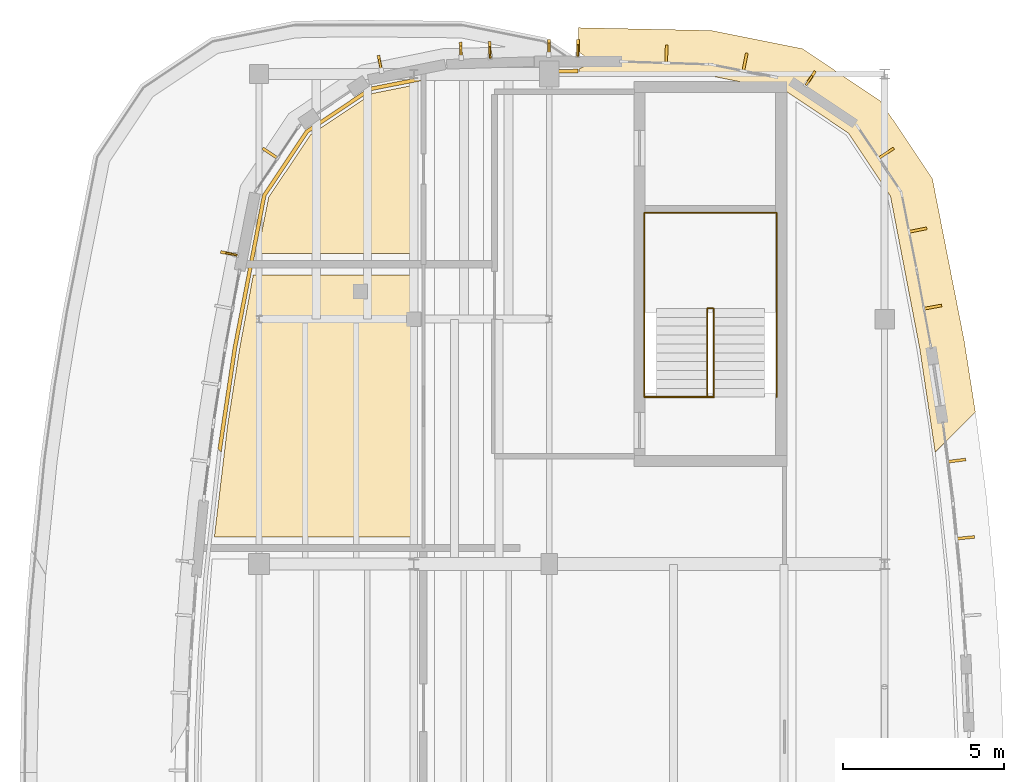
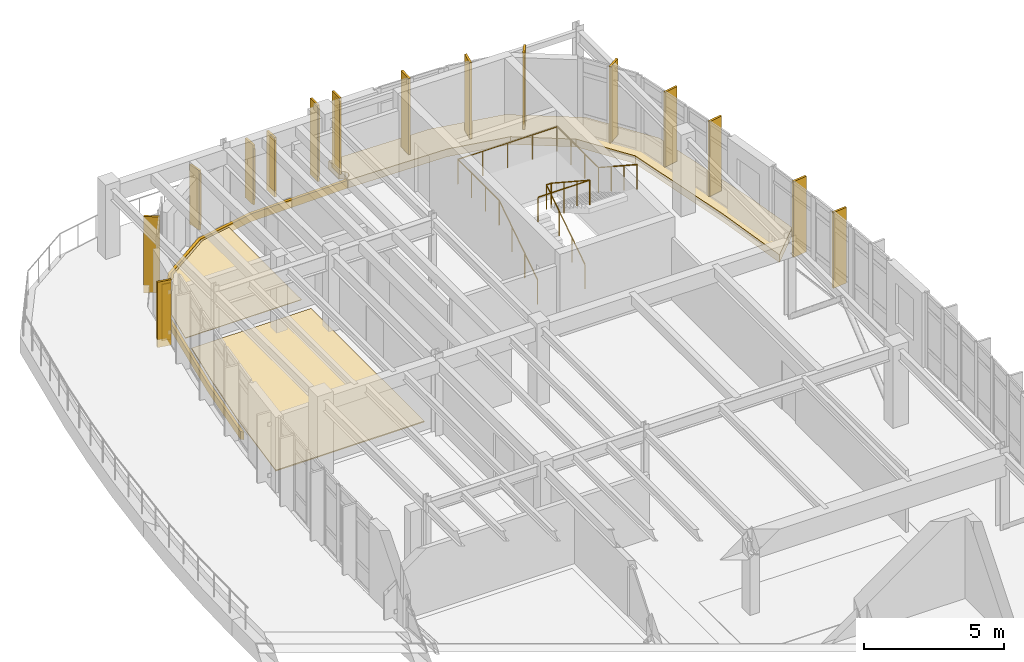
# One storey, part 20 of 20: 19 coverings, 7 shading devices, 3 railings.
"""IFC4 building model written with IfcOpenShell, lengths in metres."""

import ifcopenshell
import ifcopenshell.guid

model = None  # the IFC model being written
_history = None  # IfcOwnerHistory: only IFC2X3 demands one
_inside = {}  # id of a spatial element -> (the spatial element, [elements in it])
_under = {}  # id of a project, library or spatial element -> (it, [spatial elements below it])
_declared = {}  # id of a project -> (the project, [libraries it declares])
_typed = {}  # id of a type object -> (the type object, [elements of that type])
_made_of = {}  # id of a material, layer set ... -> (it, [elements and type objects made of it])


def new_model(schema):
    """Start an empty IFC model of exactly this schema.

    Asked for "IFC4X3", IfcOpenShell would pick the latest addendum, in which some entities
    have other attributes; the version numbers below select the first issue.
    IFC2X3 requires an IfcOwnerHistory on every rooted entity: one is made here for all.
    """
    global model, _history
    if schema == "IFC4X3":
        model = ifcopenshell.file(schema_version=(4, 3, 0, 0))
    else:
        model = ifcopenshell.file(schema=schema)
    _inside.clear()
    _under.clear()
    _declared.clear()
    _typed.clear()
    _made_of.clear()
    _history = None
    if model.schema == "IFC2X3":
        org = make("IfcOrganization", Name="unknown")
        user = make(
            "IfcPersonAndOrganization",
            ThePerson=make("IfcPerson", FamilyName="unknown"),
            TheOrganization=org,
        )
        app = make(
            "IfcApplication",
            ApplicationDeveloper=org,
            Version="unknown",
            ApplicationFullName="unknown",
            ApplicationIdentifier="unknown",
        )
        _history = make(
            "IfcOwnerHistory",
            OwningUser=user,
            OwningApplication=app,
            ChangeAction="ADDED",
            CreationDate=0,
        )
    return model


def make(cls, **values):
    """One entity of the class cls with the attributes given. An attribute that is None is left unset."""
    return model.create_entity(
        cls, **{name: value for name, value in values.items() if value is not None}
    )


def rooted(cls, **values):
    """An entity with a GlobalId (a new one), such as an element, a storey or a relation."""
    return make(cls, GlobalId=ifcopenshell.guid.new(), OwnerHistory=_history, **values)


def si_unit(unit_type, name, prefix=None):
    """IfcSIUnit, for example si_unit("LENGTHUNIT", "METRE", prefix="MILLI")."""
    return make("IfcSIUnit", UnitType=unit_type, Prefix=prefix, Name=name)


def assignment(units):
    """IfcUnitAssignment: the units of a project."""
    return None if units is None else make("IfcUnitAssignment", Units=units)


def point(xyz):
    """IfcCartesianPoint."""
    return None if xyz is None else make("IfcCartesianPoint", Coordinates=xyz)


def direction(xyz):
    """IfcDirection."""
    return None if xyz is None else make("IfcDirection", DirectionRatios=xyz)


def frame(location, z_axis=None, x_axis=None):
    """IfcAxis2Placement3D, a coordinate frame: its origin and axes. An axis left out is left unset."""
    return make(
        "IfcAxis2Placement3D",
        Location=point(location),
        Axis=direction(z_axis),
        RefDirection=direction(x_axis),
    )


def frame_2d(location, x_axis=None):
    """IfcAxis2Placement2D, a coordinate frame in the plane: its origin and x axis."""
    return make(
        "IfcAxis2Placement2D", Location=point(location), RefDirection=direction(x_axis)
    )


def origin():
    """The frame at (0, 0, 0) with its axes left unset."""
    return frame((0.0, 0.0, 0.0))


def origin_2d():
    """The frame at (0, 0) in the plane with its x axis left unset."""
    return frame_2d((0.0, 0.0))


def place(relative_to, where):
    """IfcLocalPlacement: puts the frame where relative to a parent placement (None: the world)."""
    return make(
        "IfcLocalPlacement", PlacementRelTo=relative_to, RelativePlacement=where
    )


def context(
    kind, dimensions, precision=None, world=None, true_north=None, identifier=None
):
    """IfcGeometricRepresentationContext, for example the 3D "Model" context."""
    return make(
        "IfcGeometricRepresentationContext",
        ContextIdentifier=identifier,
        ContextType=kind,
        CoordinateSpaceDimension=dimensions,
        Precision=precision,
        WorldCoordinateSystem=world,
        TrueNorth=true_north,
    )


def subcontext(parent, identifier, kind, view, scale=None):
    """IfcGeometricRepresentationSubContext, for example "Body" below "Model"."""
    return make(
        "IfcGeometricRepresentationSubContext",
        ContextIdentifier=identifier,
        ContextType=kind,
        ParentContext=parent,
        TargetScale=scale,
        TargetView=view,
    )


def project(units=None, contexts=None):
    """IfcProject with its units and contexts."""
    return rooted(
        "IfcProject",
        Name="project",
        RepresentationContexts=contexts,
        UnitsInContext=assignment(units),
    )


def spatial(cls, under=None, at=None, **own):
    """A site, building, storey or space (cls), placed at a placement, below another one or the project."""
    s = rooted(cls, ObjectPlacement=at, **own)
    if under is not None:
        _under.setdefault(under.id(), (under, []))[1].append(s)
    return s


def polyline(points):
    """IfcPolyline through the points."""
    return make("IfcPolyline", Points=[point(p) for p in points])


def profile(cls, at=None, kind="AREA", **sizes):
    """A parametric profile (cls). Its sizes go by their IFC names, for example OverallWidth=200.0."""
    return make(cls, ProfileType=kind, Position=at, **sizes)


def rectangle(**sizes):
    """IfcRectangleProfileDef."""
    return profile("IfcRectangleProfileDef", **sizes)


def circle(**sizes):
    """IfcCircleProfileDef."""
    return profile("IfcCircleProfileDef", **sizes)


def outline(outer, holes=None, kind="AREA"):
    """IfcArbitraryClosedProfileDef: a profile drawn as a closed curve; with holes, ...WithVoids."""
    if holes is None:
        return make("IfcArbitraryClosedProfileDef", ProfileType=kind, OuterCurve=outer)
    return make(
        "IfcArbitraryProfileDefWithVoids",
        ProfileType=kind,
        OuterCurve=outer,
        InnerCurves=holes,
    )


def extrude(swept, where, along, depth):
    """IfcExtrudedAreaSolid: the profile swept, set in the frame where, extruded along a direction by depth."""
    return make(
        "IfcExtrudedAreaSolid",
        SweptArea=swept,
        Position=where,
        ExtrudedDirection=direction(along),
        Depth=depth,
    )


def shape(context_of_items, identifier, shape_type, items):
    """IfcShapeRepresentation: the items that make up one representation, for example the "Body"."""
    return make(
        "IfcShapeRepresentation",
        ContextOfItems=context_of_items,
        RepresentationIdentifier=identifier,
        RepresentationType=shape_type,
        Items=items,
    )


def material(Name=None, Category=None):
    """IfcMaterial."""
    return make("IfcMaterial", Name=Name, Category=Category)


def layer(
    of_material, thickness, ventilated=None, Name=None, Category=None, Priority=None
):
    """IfcMaterialLayer: one layer of a wall or slab, of a material (None: an air gap)."""
    return make(
        "IfcMaterialLayer",
        Material=of_material,
        LayerThickness=thickness,
        IsVentilated=ventilated,
        Name=Name,
        Category=Category,
        Priority=Priority,
    )


def layer_set(layers, Name=None):
    """IfcMaterialLayerSet."""
    return make("IfcMaterialLayerSet", MaterialLayers=layers, LayerSetName=Name)


def made_of(thing, what):
    """Note that an element or type object is made of a material, layer set ...; save() writes the relation."""
    if what is not None:
        _made_of.setdefault(what.id(), (what, []))[1].append(thing)
    return thing


def type_object(cls, material=None, **own):
    """A type object (cls), such as IfcWallType, which elements share."""
    return made_of(rooted(cls, **own), material)


def element(
    cls,
    number,
    at=None,
    inside=None,
    cuts=None,
    type_object=None,
    material=None,
    context=None,
    identifier="Body",
    shape_type=None,
    held_by="IfcProductDefinitionShape",
    body=None,
    shapes=None,
    **own,
):
    """One element of the class cls, such as IfcWall. Its Tag is "e" and its number.

    at: its placement. inside: the storey or other place that contains it. cuts: it is an
    opening in that element (IfcRelVoidsElement). A single representation is given by context,
    identifier, shape_type and body (its items); several are given by shapes. held_by: the class
    of the entity that holds the representations. save() writes the other relations.
    """
    e = rooted(cls, Tag="e%d" % number, ObjectPlacement=at, **own)
    if body is not None:
        shapes = [shape(context, identifier, shape_type, body)]
    if shapes is not None:
        e.Representation = make(held_by, Representations=shapes)
    if inside is not None:
        _inside.setdefault(inside.id(), (inside, []))[1].append(e)
    if cuts is not None:
        rooted(
            "IfcRelVoidsElement", RelatingBuildingElement=cuts, RelatedOpeningElement=e
        )
    if type_object is not None:
        _typed.setdefault(type_object.id(), (type_object, []))[1].append(e)
    return made_of(e, material)


def aggregate(whole, parts):
    """IfcRelAggregates: a whole, such as a stair, and the parts it consists of."""
    return rooted("IfcRelAggregates", RelatingObject=whole, RelatedObjects=parts)


def save(model, path):
    """Write the relations noted so far, then the file.

    IfcRelAggregates (storeys below a building ...), IfcRelContainedInSpatialStructure (elements
    in a storey), IfcRelDefinesByType, IfcRelAssociatesMaterial and IfcRelDeclares: one each for
    every whole, place, type object, material and project.
    """
    for whole, parts in _under.values():
        aggregate(whole, parts)
    for where, things in _inside.values():
        rooted(
            "IfcRelContainedInSpatialStructure",
            RelatedElements=things,
            RelatingStructure=where,
        )
    for kind, things in _typed.values():
        rooted("IfcRelDefinesByType", RelatedObjects=things, RelatingType=kind)
    for what, things in _made_of.values():
        rooted("IfcRelAssociatesMaterial", RelatedObjects=things, RelatingMaterial=what)
    for by, libraries in _declared.values():
        rooted("IfcRelDeclares", RelatingContext=by, RelatedDefinitions=libraries)
    model.write(path)


model = new_model("IFC4")

# Units and contexts
model_context = context("Model", 3, precision=1e-05, world=origin(), true_north=direction((0.0, 1.0)))
body_context = subcontext(model_context, "Body", "Model", "MODEL_VIEW")
ifc_project = project(units=[si_unit("LENGTHUNIT", "METRE"), si_unit("AREAUNIT", "SQUARE_METRE"), si_unit("VOLUMEUNIT", "CUBIC_METRE"), si_unit("PLANEANGLEUNIT", "RADIAN"), si_unit("MASSUNIT", "GRAM", prefix="KILO")], contexts=[model_context])

# Site, building, storey
site_placement = place(None, origin())
site = spatial("IfcSite", under=ifc_project, at=site_placement, CompositionType="ELEMENT")
building_placement = place(site_placement, origin())
building = spatial("IfcBuilding", under=site, at=building_placement, Name="Corveleigh Park Community Centre", CompositionType="ELEMENT")
storey_placement = place(building_placement, frame((0.0, 0.0, 16.199951171875)))
storey = spatial("IfcBuildingStorey", under=building, at=storey_placement, Name="L04", CompositionType="ELEMENT", Elevation=16.199951171875)

# Coverings
ifc_material_1 = material(Name="Warm buff ribbed architectural cladding", Category="masonry")
ifc_layer_1 = layer(ifc_material_1, 0.0849609375, Name="Warm buff ribbed architectural cladding", Category="masonry")
ifc_layer_set_1 = layer_set([ifc_layer_1], Name="Warm buff ribbed architectural cladding")
covering_type_1 = type_object("IfcCoveringType", Name="COV-CLD-BUF", PredefinedType="CLADDING", material=ifc_layer_set_1)
covering_1_placement = place(storey_placement, origin())
element("IfcCovering", 1, at=covering_1_placement, inside=storey, type_object=covering_type_1, Name="V4 L04 Brise-soleil blade 499", PredefinedType="CLADDING", context=body_context, shape_type="SweptSolid", body=[
    extrude(outline(polyline([(170.60595703125, 89.830078125), (170.614013671875, 89.74609375), (171.19091796875, 89.802978515625), (171.18310546875, 89.886962890625), (170.60595703125, 89.830078125)])), origin(), (0.0, 0.0, 1.0), 3.31201171875),
])
covering_2_placement = place(storey_placement, origin())
element("IfcCovering", 2, at=covering_2_placement, inside=storey, type_object=covering_type_1, Name="V4 L04 Brise-soleil blade 500", PredefinedType="CLADDING", context=body_context, shape_type="SweptSolid", body=[
    extrude(outline(polyline([(170.3349609375, 92.216064453125), (170.345947265625, 92.131103515625), (170.9208984375, 92.205078125), (170.909912109375, 92.2890625), (170.3349609375, 92.216064453125)])), origin(), (0.0, 0.0, 1.0), 3.31201171875),
])
covering_3_placement = place(storey_placement, origin())
element("IfcCovering", 3, at=covering_3_placement, inside=storey, type_object=covering_type_1, Name="V4 L04 Brise-soleil blade 501", PredefinedType="CLADDING", context=body_context, shape_type="SweptSolid", body=[
    extrude(outline(polyline([(169.591064453125, 96.958984375), (169.60595703125, 96.875), (170.176025390625, 96.98095703125), (170.160888671875, 97.06396484375), (169.591064453125, 96.958984375)])), origin(), (0.0, 0.0, 1.0), 3.31201171875),
])
covering_4_placement = place(storey_placement, origin())
element("IfcCovering", 4, at=covering_4_placement, inside=storey, type_object=covering_type_1, Name="V4 L04 Brise-soleil blade 502", PredefinedType="CLADDING", context=body_context, shape_type="SweptSolid", body=[
    extrude(outline(polyline([(169.133056640625, 99.343994140625), (169.14892578125, 99.260009765625), (169.718017578125, 99.3740234375), (169.700927734375, 99.45703125), (169.133056640625, 99.343994140625)])), origin(), (0.0, 0.0, 1.0), 3.31201171875),
])
covering_5_placement = place(storey_placement, origin())
element("IfcCovering", 5, at=covering_5_placement, inside=storey, type_object=covering_type_1, Name="V4 L04 Brise-soleil blade 503", PredefinedType="CLADDING", context=body_context, shape_type="SweptSolid", body=[
    extrude(outline(polyline([(168.178955078125, 101.611083984375), (168.22607421875, 101.541015625), (168.7080078125, 101.863037109375), (168.660888671875, 101.93310546875), (168.178955078125, 101.611083984375)])), origin(), (0.0, 0.0, 1.0), 3.3720703125),
])
covering_6_placement = place(storey_placement, origin())
element("IfcCovering", 6, at=covering_6_placement, inside=storey, type_object=covering_type_1, Name="V4 L04 Brise-soleil blade 504", PredefinedType="CLADDING", context=body_context, shape_type="SweptSolid", body=[
    extrude(outline(polyline([(165.9140625, 103.864990234375), (165.985107421875, 103.81689453125), (166.281982421875, 104.261962890625), (166.2109375, 104.31005859375), (165.9140625, 103.864990234375)])), origin(), (0.0, 0.0, 1.0), 3.3720703125),
])
covering_7_placement = place(storey_placement, origin())
element("IfcCovering", 7, at=covering_7_placement, inside=storey, type_object=covering_type_1, Name="V4 L04 Brise-soleil blade 505", PredefinedType="CLADDING", context=body_context, shape_type="SweptSolid", body=[
    extrude(outline(polyline([(163.971923828125, 104.287109375), (164.055908203125, 104.27001953125), (164.1689453125, 104.839111328125), (164.0859375, 104.85595703125), (163.971923828125, 104.287109375)])), origin(), (0.0, 0.0, 1.0), 3.3720703125),
])
covering_8_placement = place(storey_placement, origin())
element("IfcCovering", 8, at=covering_8_placement, inside=storey, type_object=covering_type_1, Name="V4 L04 Brise-soleil blade 506", PredefinedType="CLADDING", context=body_context, shape_type="SweptSolid", body=[
    extrude(outline(polyline([(161.5830078125, 104.52490234375), (161.66796875, 104.52197265625), (161.68701171875, 105.10205078125), (161.60205078125, 105.10498046875), (161.5830078125, 104.52490234375)])), origin(), (0.0, 0.0, 1.0), 3.3720703125),
])
covering_9_placement = place(storey_placement, origin())
element("IfcCovering", 9, at=covering_9_placement, inside=storey, type_object=covering_type_1, Name="V4 L04 Brise-soleil blade 507", PredefinedType="CLADDING", context=body_context, shape_type="SweptSolid", body=[
    extrude(outline(polyline([(157.949951171875, 104.740966796875), (158.033935546875, 104.740966796875), (158.033935546875, 105.27587890625), (157.949951171875, 105.27587890625), (157.949951171875, 104.740966796875)])), origin(), (0.0, 0.0, 1.0), 3.337158203125),
])
covering_10_placement = place(storey_placement, origin())
element("IfcCovering", 10, at=covering_10_placement, inside=storey, type_object=covering_type_1, Name="V4 L04 Brise-soleil blade 508", PredefinedType="CLADDING", context=body_context, shape_type="SweptSolid", body=[
    extrude(outline(polyline([(158.85009765625, 104.740966796875), (158.93408203125, 104.740966796875), (158.93408203125, 105.27587890625), (158.85009765625, 105.27587890625), (158.85009765625, 104.740966796875)])), origin(), (0.0, 0.0, 1.0), 3.337158203125),
])
covering_11_placement = place(storey_placement, origin())
element("IfcCovering", 11, at=covering_11_placement, inside=storey, type_object=covering_type_1, Name="V4 L04 Brise-soleil blade 509", PredefinedType="CLADDING", context=body_context, shape_type="SweptSolid", body=[
    extrude(outline(polyline([(155.22607421875, 104.64892578125), (155.31103515625, 104.65087890625), (155.2939453125, 105.18603515625), (155.208984375, 105.18408203125), (155.22607421875, 104.64892578125)])), origin(), (0.0, 0.0, 1.0), 2.60498046875),
])
covering_12_placement = place(storey_placement, origin())
element("IfcCovering", 12, at=covering_12_placement, inside=storey, type_object=covering_type_1, Name="V4 L04 Brise-soleil blade 510", PredefinedType="CLADDING", context=body_context, shape_type="SweptSolid", body=[
    extrude(outline(polyline([(156.1259765625, 104.677001953125), (156.2109375, 104.679931640625), (156.194091796875, 105.215087890625), (156.10888671875, 105.2119140625), (156.1259765625, 104.677001953125)])), origin(), (0.0, 0.0, 1.0), 2.60498046875),
])
covering_13_placement = place(storey_placement, origin())
element("IfcCovering", 13, at=covering_13_placement, inside=storey, type_object=covering_type_1, Name="V4 L04 Brise-soleil blade 511", PredefinedType="CLADDING", context=body_context, shape_type="SweptSolid", body=[
    extrude(outline(polyline([(152.76611328125, 104.243896484375), (152.85009765625, 104.260009765625), (152.7451171875, 104.784912109375), (152.662109375, 104.76806640625), (152.76611328125, 104.243896484375)])), origin(), (0.0, 0.0, 1.0), 2.60498046875),
])
covering_14_placement = place(storey_placement, origin())
element("IfcCovering", 14, at=covering_14_placement, inside=storey, type_object=covering_type_1, Name="V4 L04 Brise-soleil blade 512", PredefinedType="CLADDING", context=body_context, shape_type="SweptSolid", body=[
    extrude(outline(polyline([(149.573974609375, 101.541015625), (149.62109375, 101.611083984375), (149.138916015625, 101.93310546875), (149.092041015625, 101.863037109375), (149.573974609375, 101.541015625)])), origin(), (0.0, 0.0, 1.0), 3.337158203125),
])
covering_15_placement = place(storey_placement, origin())
element("IfcCovering", 15, at=covering_15_placement, inside=storey, type_object=covering_type_1, Name="V4 L04 Brise-soleil blade 513", PredefinedType="CLADDING", context=body_context, shape_type="SweptSolid", body=[
    extrude(outline(polyline([(148.327880859375, 98.537109375), (148.344970703125, 98.6201171875), (147.820068359375, 98.72509765625), (147.803955078125, 98.64111328125), (148.327880859375, 98.537109375)])), origin(), (0.0, 0.0, 1.0), 2.862060546875),
])
ifc_material_2 = material(Name="White architectural fascia cladding", Category="masonry")
ifc_layer_2 = layer(ifc_material_2, 0.074951171875, Name="White architectural fascia cladding", Category="masonry")
ifc_layer_set_2 = layer_set([ifc_layer_2], Name="White architectural fascia cladding")
covering_type_2 = type_object("IfcCoveringType", Name="COV-CLD-WHT", PredefinedType="CLADDING", material=ifc_layer_set_2)
covering_16_placement = place(storey_placement, frame((0.0, 0.0, -0.300048828125)))
element("IfcCovering", 16, at=covering_16_placement, inside=storey, type_object=covering_type_2, Name="V4 L04 Horizontal Sun-Hood 2", PredefinedType="CLADDING", context=body_context, shape_type="SweptSolid", body=[
    extrude(outline(polyline([(158.927978515625, 104.35302734375), (159.093017578125, 104.445068359375), (159.14794921875, 104.60302734375), (159.091064453125, 104.760009765625), (158.912109375, 104.89208984375), (158.912109375, 105.635986328125), (163.032958984375, 105.549072265625), (165.85107421875, 104.98291015625), (168.26708984375, 103.366943359375), (169.883056640625, 100.950927734375), (170.868896484375, 95.929931640625), (171.214111328125, 93.72705078125), (169.968017578125, 92.47998046875), (169.491943359375, 95.679931640625), (168.5830078125, 100.412109375), (167.27294921875, 102.373046875), (165.31201171875, 103.68310546875), (162.9599609375, 104.15087890625), (158.910888671875, 104.236083984375), (158.927978515625, 104.35302734375)])), origin(), (0.0, 0.0, 1.0), 0.340087890625),
])
covering_17_placement = place(storey_placement, frame((0.0, 0.0, -0.300048828125)))
element("IfcCovering", 17, at=covering_17_placement, inside=storey, type_object=covering_type_2, Name="V4 L04 Horizontal Sun-Hood 3", PredefinedType="CLADDING", context=body_context, shape_type="SweptSolid", body=[
    extrude(outline(polyline([(147.72900390625, 92.58203125), (148.194091796875, 95.698974609375), (149.10791015625, 100.455078125), (150.443115234375, 102.452880859375), (152.446044921875, 103.79296875), (154.824951171875, 104.26611328125), (158.888916015625, 104.35107421875), (158.888916015625, 104.236083984375), (154.840087890625, 104.15087890625), (152.488037109375, 103.68310546875), (150.527099609375, 102.373046875), (149.217041015625, 100.412109375), (148.30810546875, 95.679931640625), (147.83203125, 92.47998046875), (147.72900390625, 92.58203125)])), origin(), (0.0, 0.0, 1.0), 0.340087890625),
])
ifc_material_3 = material(Name="Acoustic linoleum flooring", Category="wood")
ifc_layer_3 = layer(ifc_material_3, 0.02490234375, Name="Acoustic linoleum flooring", Category="wood")
ifc_layer_set_3 = layer_set([ifc_layer_3], Name="Acoustic linoleum flooring")
covering_type_3 = type_object("IfcCoveringType", Name="COV-FLR-LIN", PredefinedType="FLOORING", material=ifc_layer_set_3)
covering_18_placement = place(storey_placement, origin())
element("IfcCovering", 18, at=covering_18_placement, inside=storey, type_object=covering_type_3, Name="Accessible and Public Toilets L04 flooring", PredefinedType="FLOORING", context=body_context, shape_type="SweptSolid", body=[
    extrude(outline(polyline([(149.301025390625, 100.376953125), (150.592041015625, 102.30810546875), (152.52294921875, 103.59912109375), (153.760009765625, 103.844970703125), (153.760009765625, 98.639892578125), (148.9560546875, 98.639892578125), (149.301025390625, 100.376953125)])), origin(), (0.0, 0.0, 1.0), 0.025146484375),
])
ifc_material_4 = material(Name="Sprung hardwood sports flooring", Category="wood")
ifc_layer_4 = layer(ifc_material_4, 0.044921875, Name="Sprung hardwood sports flooring", Category="wood")
ifc_layer_set_4 = layer_set([ifc_layer_4], Name="Sprung hardwood sports flooring")
covering_type_4 = type_object("IfcCoveringType", Name="COV-FLR-SPR", PredefinedType="FLOORING", material=ifc_layer_set_4)
covering_19_placement = place(storey_placement, origin())
element("IfcCovering", 19, at=covering_19_placement, inside=storey, type_object=covering_type_4, Name="Community Health Drop-In Studio flooring", PredefinedType="FLOORING", context=body_context, shape_type="SweptSolid", body=[
    extrude(outline(polyline([(148.39697265625, 95.6650390625), (148.822021484375, 97.9599609375), (153.760009765625, 97.9599609375), (153.760009765625, 89.840087890625), (147.616943359375, 89.840087890625), (148.028076171875, 93.304931640625), (148.39697265625, 95.6650390625)])), origin(), (0.0, 0.0, 1.0), 0.045166015625),
])

# Railings
ifc_material_5 = material(Name="Stainless steel 316 balustrade", Category="steel")
railing_type = type_object("IfcRailingType", Name="RLG-BAL-INT-1100", PredefinedType="BALUSTRADE", material=ifc_material_5)
railing_1_placement = place(storey_placement, frame((162.89990234375, 94.179931640625, 0.0)))
element("IfcRailing", 20, at=railing_1_placement, inside=storey, type_object=railing_type, Name="Stair ST2 inner guard L04", PredefinedType="BALUSTRADE", context=body_context, shape_type="SweptSolid", body=[
    extrude(circle(Radius=0.02392578125, at=origin_2d()), frame((0.0, 0.0, 1.076171875), z_axis=(0.0, 0.836694709366, 0.547669574943), x_axis=(-1.0, 0.0, 0.0)), (0.0, 0.0, 1.0), 3.28662109375),
    extrude(circle(Radius=0.02392578125, at=origin_2d()), frame((0.0, 2.75, 2.8759765625), z_axis=(1.0, 0.0, 0.0), x_axis=(0.0, 1.0, 0.0)), (0.0, 0.0, 1.0), 0.2001953125),
    extrude(circle(Radius=0.02392578125, at=origin_2d()), frame((0.2001953125, 2.75, 2.8759765625), z_axis=(0.0, -0.836694709366, 0.547669574943), x_axis=(1.0, 0.0, 0.0)), (0.0, 0.0, 1.0), 3.28662109375),
    extrude(circle(Radius=0.02099609375, at=origin_2d()), origin(), (0.0, 0.0, 1.0), 1.052001953125),
    extrude(circle(Radius=0.02099609375, at=origin_2d()), frame((0.0, 0.916748046875, 0.60009765625)), (0.0, 0.0, 1.0), 1.052001953125),
    extrude(circle(Radius=0.02099609375, at=origin_2d()), frame((0.0, 1.833251953125, 1.199951171875)), (0.0, 0.0, 1.0), 1.052001953125),
    extrude(circle(Radius=0.02099609375, at=origin_2d()), frame((0.0, 2.75, 1.800048828125)), (0.0, 0.0, 1.0), 1.052001953125),
    extrude(circle(Radius=0.02099609375, at=origin_2d()), frame((0.2001953125, 2.75, 1.800048828125)), (0.0, 0.0, 1.0), 1.052001953125),
    extrude(circle(Radius=0.02099609375, at=origin_2d()), frame((0.2001953125, 1.833251953125, 2.400146484375)), (0.0, 0.0, 1.0), 1.052001953125),
    extrude(circle(Radius=0.02099609375, at=origin_2d()), frame((0.2001953125, 0.916748046875, 3.0)), (0.0, 0.0, 1.0), 1.052001953125),
    extrude(circle(Radius=0.02099609375, at=origin_2d()), frame((0.2001953125, 0.0, 3.60009765625)), (0.0, 0.0, 1.0), 1.052001953125),
])
railing_2_placement = place(storey_placement, frame((160.967041015625, 94.179931640625, 3.60009765625)))
element("IfcRailing", 21, at=railing_2_placement, inside=storey, type_object=railing_type, Name="Stair ST2 landing guard L04", PredefinedType="BALUSTRADE", context=body_context, shape_type="SweptSolid", body=[
    extrude(circle(Radius=0.02392578125, at=origin_2d()), frame((0.0, 0.0, 1.076171875), z_axis=(1.0, 0.0, 0.0), x_axis=(0.0, 1.0, 0.0)), (0.0, 0.0, 1.0), 2.133056640625),
    extrude(circle(Radius=0.02099609375, at=origin_2d()), origin(), (0.0, 0.0, 1.0), 1.052001953125),
    extrude(circle(Radius=0.02099609375, at=origin_2d()), frame((1.06640625, 0.0, 0.0)), (0.0, 0.0, 1.0), 1.052001953125),
    extrude(circle(Radius=0.02099609375, at=origin_2d()), frame((2.133056640625, 0.0, 0.0)), (0.0, 0.0, 1.0), 1.052001953125),
])
railing_3_placement = place(storey_placement, frame((160.947021484375, 94.179931640625, 0.0)))
element("IfcRailing", 22, at=railing_3_placement, inside=storey, type_object=railing_type, Name="Stair ST2 perimeter guard L04", PredefinedType="BALUSTRADE", context=body_context, shape_type="SweptSolid", body=[
    extrude(circle(Radius=0.02392578125, at=origin_2d()), frame((0.0, 0.0, 1.076171875), z_axis=(0.0, 0.836694709366, 0.547669574943), x_axis=(-1.0, 0.0, 0.0)), (0.0, 0.0, 1.0), 3.28662109375),
    extrude(circle(Radius=0.02392578125, at=origin_2d()), frame((0.0, 2.75, 2.8759765625), z_axis=(0.0, 1.0, 0.0), x_axis=(-1.0, 0.0, 0.0)), (0.0, 0.0, 1.0), 2.963134765625),
    extrude(circle(Radius=0.02392578125, at=origin_2d()), frame((0.0, 5.713134765625, 2.8759765625), z_axis=(1.0, 0.0, 0.0), x_axis=(0.0, 1.0, 0.0)), (0.0, 0.0, 1.0), 4.10595703125),
    extrude(circle(Radius=0.02392578125, at=origin_2d()), frame((4.10595703125, 5.713134765625, 2.8759765625), z_axis=(0.0, -1.0, 0.0), x_axis=(1.0, 0.0, 0.0)), (0.0, 0.0, 1.0), 2.963134765625),
    extrude(circle(Radius=0.02392578125, at=origin_2d()), frame((4.10595703125, 2.75, 2.8759765625), z_axis=(0.0, -0.836694709366, 0.547669574943), x_axis=(1.0, 0.0, 0.0)), (0.0, 0.0, 1.0), 3.28662109375),
    extrude(circle(Radius=0.02099609375, at=origin_2d()), origin(), (0.0, 0.0, 1.0), 1.052001953125),
    extrude(circle(Radius=0.02099609375, at=origin_2d()), frame((0.0, 0.916748046875, 0.60009765625)), (0.0, 0.0, 1.0), 1.052001953125),
    extrude(circle(Radius=0.02099609375, at=origin_2d()), frame((0.0, 1.833251953125, 1.199951171875)), (0.0, 0.0, 1.0), 1.052001953125),
    extrude(circle(Radius=0.02099609375, at=origin_2d()), frame((0.0, 2.75, 1.800048828125)), (0.0, 0.0, 1.0), 1.052001953125),
    extrude(circle(Radius=0.02099609375, at=origin_2d()), frame((0.0, 3.73779296875, 1.800048828125)), (0.0, 0.0, 1.0), 1.052001953125),
    extrude(circle(Radius=0.02099609375, at=origin_2d()), frame((0.0, 4.725341796875, 1.800048828125)), (0.0, 0.0, 1.0), 1.052001953125),
    extrude(circle(Radius=0.02099609375, at=origin_2d()), frame((0.0, 5.713134765625, 1.800048828125)), (0.0, 0.0, 1.0), 1.052001953125),
    extrude(circle(Radius=0.02099609375, at=origin_2d()), frame((1.0263671875, 5.713134765625, 1.800048828125)), (0.0, 0.0, 1.0), 1.052001953125),
    extrude(circle(Radius=0.02099609375, at=origin_2d()), frame((2.052978515625, 5.713134765625, 1.800048828125)), (0.0, 0.0, 1.0), 1.052001953125),
    extrude(circle(Radius=0.02099609375, at=origin_2d()), frame((3.07958984375, 5.713134765625, 1.800048828125)), (0.0, 0.0, 1.0), 1.052001953125),
    extrude(circle(Radius=0.02099609375, at=origin_2d()), frame((4.10595703125, 5.713134765625, 1.800048828125)), (0.0, 0.0, 1.0), 1.052001953125),
    extrude(circle(Radius=0.02099609375, at=origin_2d()), frame((4.10595703125, 4.725341796875, 1.800048828125)), (0.0, 0.0, 1.0), 1.052001953125),
    extrude(circle(Radius=0.02099609375, at=origin_2d()), frame((4.10595703125, 3.73779296875, 1.800048828125)), (0.0, 0.0, 1.0), 1.052001953125),
    extrude(circle(Radius=0.02099609375, at=origin_2d()), frame((4.10595703125, 2.75, 1.800048828125)), (0.0, 0.0, 1.0), 1.052001953125),
    extrude(circle(Radius=0.02099609375, at=origin_2d()), frame((4.10595703125, 1.833251953125, 2.400146484375)), (0.0, 0.0, 1.0), 1.052001953125),
    extrude(circle(Radius=0.02099609375, at=origin_2d()), frame((4.10595703125, 0.916748046875, 3.0)), (0.0, 0.0, 1.0), 1.052001953125),
    extrude(circle(Radius=0.02099609375, at=origin_2d()), frame((4.10595703125, 0.0, 3.60009765625)), (0.0, 0.0, 1.0), 1.052001953125),
])

# Shading devices
ifc_material_6 = material(Name="Terracotta-anodised aluminium fin", Category="masonry")
shading_device_type_1 = type_object("IfcShadingDeviceType", Name="SHD-FIN-TER-350", PredefinedType="USERDEFINED", material=ifc_material_6)
shading_device_1_placement = place(storey_placement, frame((166.054931640625, 103.9990234375, 0.25), z_axis=(0.0, 0.0, 1.0), x_axis=(0.555761278746, 0.831341927877, 0.0)))
element("IfcShadingDevice", 23, at=shading_device_1_placement, inside=storey, type_object=shading_device_type_1, Name="Terracotta brise-soleil fin 111", ObjectType="FIN", PredefinedType="USERDEFINED", context=body_context, shape_type="SweptSolid", body=[
    extrude(rectangle(XDim=0.35009765625, YDim=0.06005859375, at=origin_2d()), origin(), (0.0, 0.0, 1.0), 2.971923828125),
])
shading_device_2_placement = place(storey_placement, frame((158.89208984375, 104.930908203125, 0.25), z_axis=(0.0, 0.0, 1.0), x_axis=(0.0, 1.0, 0.0)))
element("IfcShadingDevice", 24, at=shading_device_2_placement, inside=storey, type_object=shading_device_type_1, Name="Terracotta brise-soleil fin 113", ObjectType="FIN", PredefinedType="USERDEFINED", context=body_context, shape_type="SweptSolid", body=[
    extrude(rectangle(XDim=0.35009765625, YDim=0.06005859375, at=origin_2d()), origin(), (0.0, 0.0, 1.0), 2.93701171875),
])
shading_device_3_placement = place(storey_placement, frame((156.162109375, 104.867919921875, 0.25), z_axis=(0.0, 0.0, 1.0), x_axis=(-0.031454254481, 0.99950519252, 0.0)))
element("IfcShadingDevice", 25, at=shading_device_3_placement, inside=storey, type_object=shading_device_type_1, Name="Terracotta brise-soleil fin 115", ObjectType="FIN", PredefinedType="USERDEFINED", context=body_context, shape_type="SweptSolid", body=[
    extrude(rectangle(XDim=0.35009765625, YDim=0.06005859375, at=origin_2d()), origin(), (0.0, 0.0, 1.0), 2.205078125),
])
shading_device_4_placement = place(storey_placement, frame((148.14990234375, 98.615966796875, 0.25), z_axis=(0.0, 0.0, 1.0), x_axis=(-0.980784643134, 0.195093525756, 0.0)))
element("IfcShadingDevice", 26, at=shading_device_4_placement, inside=storey, type_object=shading_device_type_1, Name="Terracotta brise-soleil fin 117", ObjectType="FIN", PredefinedType="USERDEFINED", context=body_context, shape_type="SweptSolid", body=[
    extrude(rectangle(XDim=0.35009765625, YDim=0.06005859375, at=origin_2d()), origin(), (0.0, 0.0, 1.0), 2.4619140625),
])
shading_device_type_2 = type_object("IfcShadingDeviceType", Name="SHD-FIN-TER-450", PredefinedType="USERDEFINED", material=ifc_material_6)
shading_device_5_placement = place(storey_placement, frame((157.991943359375, 104.930908203125, 0.25), z_axis=(0.0, 0.0, 1.0), x_axis=(0.0, 1.0, 0.0)))
element("IfcShadingDevice", 27, at=shading_device_5_placement, inside=storey, type_object=shading_device_type_2, Name="Terracotta brise-soleil fin 112", ObjectType="FIN", PredefinedType="USERDEFINED", context=body_context, shape_type="SweptSolid", body=[
    extrude(rectangle(XDim=0.449951171875, YDim=0.06494140625, at=origin_2d()), origin(), (0.0, 0.0, 1.0), 2.93701171875),
])
for number, where, z_axis, x_axis, name in (
    (28, (155.262939453125, 104.840087890625, 0.25), (0.0, 0.0, 1.0), (-0.031454254481, 0.99950519252, 0.0), "Terracotta brise-soleil fin 114"),
    (29, (152.77099609375, 104.43798828125, 0.25), (0.0, 0.0, 1.0), (-0.195165868436, 0.980770250261, 0.0), "Terracotta brise-soleil fin 116"),
):
    element("IfcShadingDevice", number, at=place(storey_placement, frame(where, z_axis=z_axis, x_axis=x_axis)), inside=storey, type_object=shading_device_type_2, Name=name, ObjectType="FIN", PredefinedType="USERDEFINED", context=body_context, shape_type="SweptSolid", body=[
        extrude(rectangle(XDim=0.449951171875, YDim=0.06494140625, at=origin_2d()), origin(), (0.0, 0.0, 1.0), 2.205078125),
    ])

save(model, "model.ifc")
